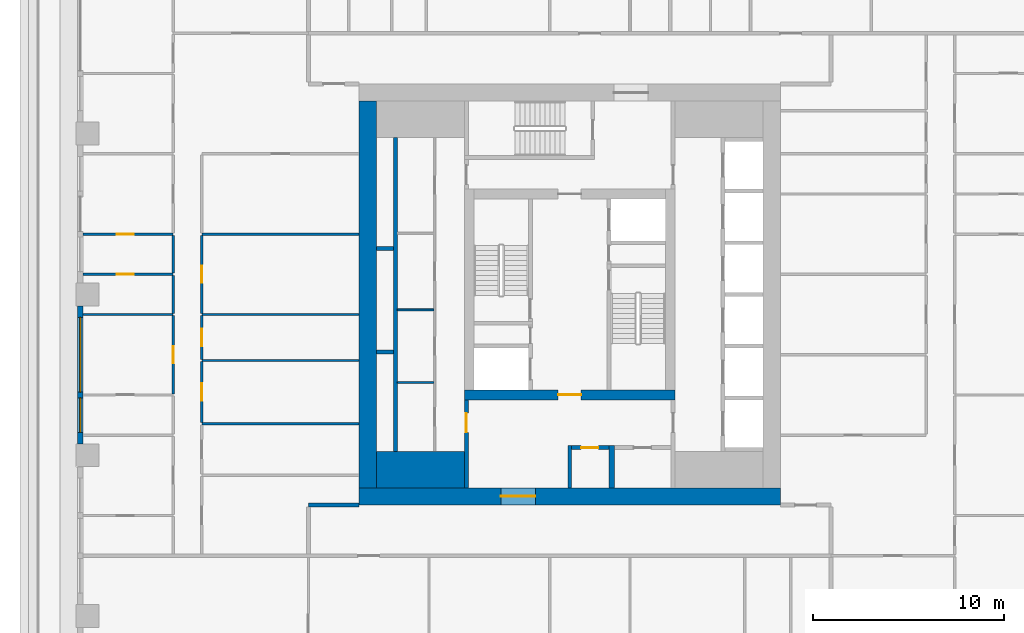
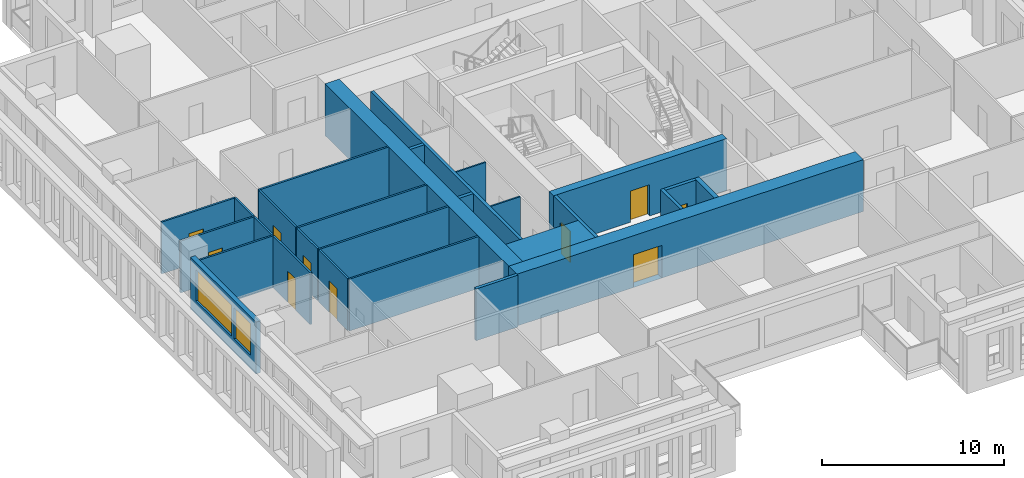
# One storey, part 3 of 15: 28 walls, 10 doors, 2 windows, 12 openings.
"""IFC4 building model written with IfcOpenShell, lengths in metres."""

from ifc_helpers import new_model, si_unit, direction, frame, frame_2d, origin, place, context, subcontext, project, spatial, rectangle, extrude, material, layer, layer_set, type_object, element, fill, save


model = new_model("IFC4")

# Units and contexts
model_context = context("Model", 3, precision=1e-05, world=origin(), true_north=direction((0.0, 1.0)))
body_context = subcontext(model_context, "Body", "Model", "MODEL_VIEW")
ifc_project = project(units=[si_unit("LENGTHUNIT", "METRE"), si_unit("AREAUNIT", "SQUARE_METRE"), si_unit("VOLUMEUNIT", "CUBIC_METRE"), si_unit("PLANEANGLEUNIT", "RADIAN"), si_unit("MASSUNIT", "GRAM", prefix="KILO")], contexts=[model_context])

# Site, building, storey
site_placement = place(None, origin())
site = spatial("IfcSite", under=ifc_project, at=site_placement, CompositionType="ELEMENT")
building_placement = place(site_placement, origin())
building = spatial("IfcBuilding", under=site, at=building_placement, Name="Khepri Terraces", CompositionType="ELEMENT")
storey_placement = place(building_placement, frame((0.0, 0.0, 256.199951171875)))
storey = spatial("IfcBuildingStorey", under=building, at=storey_placement, Name="L61", CompositionType="ELEMENT", Elevation=256.199951171875)

# Walls
ifc_material_1 = material(Name="Concrete C40/50", Category="concrete")
ifc_layer_1 = layer(ifc_material_1, 1.89990234375, Name="Concrete C40/50", Category="concrete")
ifc_layer_set_1 = layer_set([ifc_layer_1], Name="Concrete C40/50")
wall_type_1 = type_object("IfcWallType", Name="Core wall 1900 C40/50", PredefinedType="SHEAR", material=ifc_layer_set_1)
wall_1_placement = place(storey_placement, frame((-10.10009765625, -9.14990234375, 0.0), z_axis=(0.0, 0.0, 1.0), x_axis=(1.0, 0.0, 0.0)))
element("IfcWall", 1, at=wall_1_placement, inside=storey, type_object=wall_type_1, Name="Core wall PR01 L61", PredefinedType="SHEAR", context=body_context, shape_type="SweptSolid", body=[
    extrude(rectangle(XDim=4.60009765625, YDim=1.89990234375, at=frame_2d((2.300048828125, 0.0))), origin(), (0.0, 0.0, 1.0), 3.47998046875),
])
ifc_layer_2 = layer(ifc_material_1, 0.199951171875, Name="Concrete C40/50", Category="concrete")
ifc_layer_set_2 = layer_set([ifc_layer_2], Name="Concrete C40/50")
wall_type_2 = type_object("IfcWallType", Name="Core wall 200 C40/50", PredefinedType="SHEAR", material=ifc_layer_set_2)
wall_2_placement = place(storey_placement, frame((-9.10009765625, -8.199951171875, 0.0), z_axis=(0.0, 0.0, 1.0), x_axis=(0.0, 1.0, 0.0)))
element("IfcWall", 2, at=wall_2_placement, inside=storey, type_object=wall_type_2, Name="Core wall SH01 L61", PredefinedType="SHEAR", context=body_context, shape_type="SweptSolid", body=[
    extrude(rectangle(XDim=16.39990234375, YDim=0.199951171875, at=frame_2d((8.199951171875, 0.0))), origin(), (0.0, 0.0, 1.0), 3.47998046875),
])
for number, where, z_axis, x_axis, name in (
    (3, (-10.10009765625, -3.0, 0.0), (0.0, 0.0, 1.0), (1.0, 0.0, 0.0), "Core wall SH06 L61"),
    (4, (-10.10009765625, 2.39990234375, 0.0), (0.0, 0.0, 1.0), (1.0, 0.0, 0.0), "Core wall SH11 L61"),
):
    element("IfcWall", number, at=place(storey_placement, frame(where, z_axis=z_axis, x_axis=x_axis)), inside=storey, type_object=wall_type_2, Name=name, PredefinedType="SHEAR", context=body_context, shape_type="SweptSolid", body=[
        extrude(rectangle(XDim=0.900146484375, YDim=0.199951171875, at=frame_2d((0.4501953125, 0.0))), origin(), (0.0, 0.0, 1.0), 3.47998046875),
    ])

# Wall, opening, door
ifc_layer_3 = layer(ifc_material_1, 0.5, Name="Concrete C40/50", Category="concrete")
ifc_layer_set_3 = layer_set([ifc_layer_3], Name="Concrete C40/50")
wall_type_3 = type_object("IfcWallType", Name="Core wall 500 C40/50", PredefinedType="SHEAR", material=ifc_layer_set_3)
wall_3_placement = place(storey_placement, frame((-5.5, -5.25, 0.0), z_axis=(0.0, 0.0, 1.0), x_axis=(1.0, 0.0, 0.0)))
wall_3 = element("IfcWall", 5, at=wall_3_placement, inside=storey, type_object=wall_type_3, Name="Core wall BX01 L61", PredefinedType="SHEAR", context=body_context, shape_type="SweptSolid", body=[
    extrude(rectangle(XDim=11.0, YDim=0.5, at=frame_2d((5.5, 0.0))), origin(), (0.0, 0.0, 1.0), 3.47998046875),
])
opening_1_placement = place(wall_3_placement, frame((4.89990234375, 0.0, 0.0)))
opening_1 = element("IfcOpeningElement", 6, at=opening_1_placement, cuts=wall_3, Name="Opening L61-C14", PredefinedType="OPENING", context=body_context, shape_type="SweptSolid", body=[
    extrude(rectangle(XDim=1.199951171875, YDim=2.10009765625, at=frame_2d((0.60009765625, 1.050048828125))), frame((0.0, 0.260009765625, 0.0), z_axis=(0.0, -1.0, 0.0), x_axis=(1.0, 0.0, 0.0)), (0.0, 0.0, 1.0), 0.52001953125),
])
ifc_material_2 = material(Name="Painted steel", Category="steel")
door_type_1 = type_object("IfcDoorType", Name="DR-CORE-FF-LOBBY-1200", OperationType="NOTDEFINED", PredefinedType="DOOR", material=ifc_material_2)
door_1_placement = place(opening_1_placement, origin())
door_1 = element("IfcDoor", 7, at=door_1_placement, inside=storey, type_object=door_type_1, Name="Firefighting lobby door L61-C14", OperationType="SINGLE_SWING_RIGHT", OverallHeight=2.10009765625, OverallWidth=1.199951171875, PredefinedType="DOOR", context=body_context, shape_type="SweptSolid", body=[
    extrude(rectangle(XDim=1.199951171875, YDim=2.10009765625, at=frame_2d((0.60009765625, 1.050048828125))), frame((0.0, 0.02490234375, 0.0), z_axis=(0.0, -1.0, 0.0), x_axis=(1.0, 0.0, 0.0)), (0.0, 0.0, 1.0), 0.050048828125),
])
fill(opening_1, door_1)

ifc_layer_4 = layer(ifc_material_1, 0.89990234375, Name="Concrete C40/50", Category="concrete")
ifc_layer_set_4 = layer_set([ifc_layer_4], Name="Concrete C40/50")
wall_type_4 = type_object("IfcWallType", Name="Core wall 900 C40/50", PredefinedType="SHEAR", material=ifc_layer_set_4)
wall_4_placement = place(storey_placement, frame((-11.0, -10.550048828125, 0.0), z_axis=(0.0, 0.0, 1.0), x_axis=(1.0, 0.0, 0.0)))
wall_4 = element("IfcWall", 8, at=wall_4_placement, inside=storey, type_object=wall_type_4, Name="Core wall OW-S L61", PredefinedType="SHEAR", context=body_context, shape_type="SweptSolid", body=[
    extrude(rectangle(XDim=22.0, YDim=0.89990234375, at=frame_2d((11.0, 0.0))), origin(), (0.0, 0.0, 1.0), 3.47998046875),
])
opening_2_placement = place(wall_4_placement, frame((7.39990234375, 0.0, 0.0)))
opening_2 = element("IfcOpeningElement", 9, at=opening_2_placement, cuts=wall_4, Name="Opening L61-C21", PredefinedType="OPENING", context=body_context, shape_type="SweptSolid", body=[
    extrude(rectangle(XDim=1.800048828125, YDim=2.199951171875, at=frame_2d((0.89990234375, 1.10009765625))), frame((0.0, 0.4599609375, 0.0), z_axis=(0.0, -1.0, 0.0), x_axis=(1.0, 0.0, 0.0)), (0.0, 0.0, 1.0), 0.919921875),
])
door_type_2 = type_object("IfcDoorType", Name="DR-CORE-ENTRANCE-1800", OperationType="NOTDEFINED", PredefinedType="DOOR", material=ifc_material_2)
door_2_placement = place(opening_2_placement, frame((1.800048828125, 0.0, 0.0), z_axis=(0.0, 0.0, 1.0), x_axis=(-1.0, 0.0, 0.0)))
door_2 = element("IfcDoor", 10, at=door_2_placement, inside=storey, type_object=door_type_2, Name="Core entrance door pair L61-C21", OperationType="DOUBLE_DOOR_SINGLE_SWING", OverallHeight=2.199951171875, OverallWidth=1.800048828125, PredefinedType="DOOR", context=body_context, shape_type="SweptSolid", body=[
    extrude(rectangle(XDim=1.800048828125, YDim=2.199951171875, at=frame_2d((0.89990234375, 1.10009765625))), frame((0.0, 0.02490234375, 0.0), z_axis=(0.0, -1.0, 0.0), x_axis=(1.0, 0.0, 0.0)), (0.0, 0.0, 1.0), 0.050048828125),
])
fill(opening_2, door_2)

# Walls
wall_5_placement = place(storey_placement, frame((-10.550048828125, -10.10009765625, 0.0), z_axis=(0.0, 0.0, 1.0), x_axis=(0.0, 1.0, 0.0)))
element("IfcWall", 11, at=wall_5_placement, inside=storey, type_object=wall_type_4, Name="Core wall OW-W L61", PredefinedType="SHEAR", context=body_context, shape_type="SweptSolid", body=[
    extrude(rectangle(XDim=20.2001953125, YDim=0.89990234375, at=frame_2d((10.10009765625, 0.0))), origin(), (0.0, 0.0, 1.0), 3.47998046875),
])
ifc_material_3 = material(Name="Fire-rated gypsum board partition")
ifc_layer_5 = layer(ifc_material_3, 0.10009765625, Name="Fire-rated gypsum board partition")
ifc_layer_set_5 = layer_set([ifc_layer_5], Name="Fire-rated gypsum board partition")
wall_type_5 = type_object("IfcWallType", Name="WL-CORE-PART-100", PredefinedType="PARTITIONING", material=ifc_layer_set_5)
for number, where, z_axis, x_axis, name in (
    (12, (-9.0, -4.60009765625, 0.0), (0.0, 0.0, 1.0), (1.0, 0.0, 0.0), "Core partition PT08 L61"),
    (13, (-9.0, -0.800048828125, 0.0), (0.0, 0.0, 1.0), (1.0, 0.0, 0.0), "Core partition PT09 L61"),
):
    element("IfcWall", number, at=place(storey_placement, frame(where, z_axis=z_axis, x_axis=x_axis)), inside=storey, type_object=wall_type_5, Name=name, PredefinedType="PARTITIONING", context=body_context, shape_type="SweptSolid", body=[
        extrude(rectangle(XDim=1.89990234375, YDim=0.10009765625, at=frame_2d((0.949951171875, 0.0))), origin(), (0.0, 0.0, 1.0), 3.47998046875),
    ])

# Wall, opening, door
ifc_layer_6 = layer(ifc_material_3, 0.199951171875, Name="Fire-rated gypsum board partition")
ifc_layer_set_6 = layer_set([ifc_layer_6], Name="Fire-rated gypsum board partition")
wall_type_6 = type_object("IfcWallType", Name="WL-CORE-PART-200", PredefinedType="PARTITIONING", material=ifc_layer_set_6)
wall_6_placement = place(storey_placement, frame((-5.39990234375, -10.10009765625, 0.0), z_axis=(0.0, 0.0, 1.0), x_axis=(0.0, 1.0, 0.0)))
wall_6 = element("IfcWall", 14, at=wall_6_placement, inside=storey, type_object=wall_type_6, Name="Core partition PT01 L61", PredefinedType="PARTITIONING", context=body_context, shape_type="SweptSolid", body=[
    extrude(rectangle(XDim=4.60009765625, YDim=0.199951171875, at=frame_2d((2.300048828125, 0.0))), origin(), (0.0, 0.0, 1.0), 3.47998046875),
])
opening_3_placement = place(wall_6_placement, frame((2.89990234375, 0.0, 0.0)))
opening_3 = element("IfcOpeningElement", 15, at=opening_3_placement, cuts=wall_6, Name="Opening L61-C18", PredefinedType="OPENING", context=body_context, shape_type="SweptSolid", body=[
    extrude(rectangle(XDim=1.0, YDim=2.10009765625, at=frame_2d((0.5, 1.050048828125))), frame((0.0, 0.10986328125, 0.0), z_axis=(0.0, -1.0, 0.0), x_axis=(1.0, 0.0, 0.0)), (0.0, 0.0, 1.0), 0.219970703125),
])
door_type_3 = type_object("IfcDoorType", Name="DR-CORE-LOBBY-1000", OperationType="NOTDEFINED", PredefinedType="DOOR", material=ifc_material_2)
door_3_placement = place(opening_3_placement, frame((1.0, 0.0, 0.0), z_axis=(0.0, 0.0, 1.0), x_axis=(-1.0, 0.0, 0.0)))
door_3 = element("IfcDoor", 16, at=door_3_placement, inside=storey, type_object=door_type_3, Name="Lobby door L61-C18", OperationType="SINGLE_SWING_LEFT", OverallHeight=2.10009765625, OverallWidth=1.0, PredefinedType="DOOR", context=body_context, shape_type="SweptSolid", body=[
    extrude(rectangle(XDim=1.0, YDim=2.10009765625, at=frame_2d((0.5, 1.050048828125))), frame((0.0, 0.02490234375, 0.0), z_axis=(0.0, -1.0, 0.0), x_axis=(1.0, 0.0, 0.0)), (0.0, 0.0, 1.0), 0.050048828125),
])
fill(opening_3, door_3)

# Wall
wall_7_placement = place(storey_placement, frame((0.0, -10.10009765625, 0.0), z_axis=(0.0, 0.0, 1.0), x_axis=(0.0, 1.0, 0.0)))
element("IfcWall", 17, at=wall_7_placement, inside=storey, type_object=wall_type_6, Name="Core partition PT02 L61", PredefinedType="PARTITIONING", context=body_context, shape_type="SweptSolid", body=[
    extrude(rectangle(XDim=2.2001953125, YDim=0.199951171875, at=frame_2d((1.10009765625, 0.0))), origin(), (0.0, 0.0, 1.0), 3.47998046875),
])

# Wall, opening, door
wall_8_placement = place(storey_placement, frame((0.10009765625, -8.0, 0.0), z_axis=(0.0, 0.0, 1.0), x_axis=(1.0, 0.0, 0.0)))
wall_8 = element("IfcWall", 18, at=wall_8_placement, inside=storey, type_object=wall_type_6, Name="Core partition PT06 L61", PredefinedType="PARTITIONING", context=body_context, shape_type="SweptSolid", body=[
    extrude(rectangle(XDim=1.949951171875, YDim=0.199951171875, at=frame_2d((0.97509765625, 0.0))), origin(), (0.0, 0.0, 1.0), 3.47998046875),
])
opening_4_placement = place(wall_8_placement, frame((0.5, 0.0, 0.0)))
opening_4 = element("IfcOpeningElement", 19, at=opening_4_placement, cuts=wall_8, Name="Opening L61-C22", PredefinedType="OPENING", context=body_context, shape_type="SweptSolid", body=[
    extrude(rectangle(XDim=0.89990234375, YDim=2.10009765625, at=frame_2d((0.449951171875, 1.050048828125))), frame((0.0, 0.10986328125, 0.0), z_axis=(0.0, -1.0, 0.0), x_axis=(1.0, 0.0, 0.0)), (0.0, 0.0, 1.0), 0.219970703125),
])
door_type_4 = type_object("IfcDoorType", Name="DR-CORE-SERVICE-900", OperationType="NOTDEFINED", PredefinedType="DOOR", material=ifc_material_2)
door_4_placement = place(opening_4_placement, frame((0.89990234375, 0.0, 0.0), z_axis=(0.0, 0.0, 1.0), x_axis=(-1.0, 0.0, 0.0)))
door_4 = element("IfcDoor", 20, at=door_4_placement, inside=storey, type_object=door_type_4, Name="Service room door L61-C22", OperationType="SINGLE_SWING_RIGHT", OverallHeight=2.10009765625, OverallWidth=0.89990234375, PredefinedType="DOOR", context=body_context, shape_type="SweptSolid", body=[
    extrude(rectangle(XDim=0.89990234375, YDim=2.10009765625, at=frame_2d((0.449951171875, 1.050048828125))), frame((0.0, 0.02490234375, 0.0), z_axis=(0.0, -1.0, 0.0), x_axis=(1.0, 0.0, 0.0)), (0.0, 0.0, 1.0), 0.050048828125),
])
fill(opening_4, door_4)

# Walls
ifc_layer_7 = layer(ifc_material_3, 0.300048828125, Name="Fire-rated gypsum board partition")
ifc_layer_set_7 = layer_set([ifc_layer_7], Name="Fire-rated gypsum board partition")
wall_type_7 = type_object("IfcWallType", Name="WL-CORE-PART-300", PredefinedType="PARTITIONING", material=ifc_layer_set_7)
wall_9_placement = place(storey_placement, frame((2.199951171875, -10.10009765625, 0.0), z_axis=(0.0, 0.0, 1.0), x_axis=(0.0, 1.0, 0.0)))
element("IfcWall", 21, at=wall_9_placement, inside=storey, type_object=wall_type_7, Name="Core partition PT03 L61", PredefinedType="PARTITIONING", context=body_context, shape_type="SweptSolid", body=[
    extrude(rectangle(XDim=2.2001953125, YDim=0.300048828125, at=frame_2d((1.10009765625, 0.0))), origin(), (0.0, 0.0, 1.0), 3.47998046875),
])
ifc_material_4 = material(Name="Fire-rated gypsum plasterboard partition, mineral wool")
ifc_layer_8 = layer(ifc_material_4, 0.199951171875, Name="Fire-rated gypsum plasterboard partition, mineral wool")
ifc_layer_set_8 = layer_set([ifc_layer_8], Name="Fire-rated gypsum plasterboard partition, mineral wool")
wall_type_8 = type_object("IfcWallType", Name="WL-CORR-200", PredefinedType="PARTITIONING", material=ifc_layer_set_8)
wall_10_placement = place(storey_placement, frame((-13.64990234375, -11.0, 0.0), z_axis=(0.0, 0.0, 1.0), x_axis=(1.0, 0.0, 0.0)))
element("IfcWall", 22, at=wall_10_placement, inside=storey, type_object=wall_type_8, Name="Partition P-026 L61", PredefinedType="PARTITIONING", context=body_context, shape_type="SweptSolid", body=[
    extrude(rectangle(XDim=2.64990234375, YDim=0.199951171875, at=frame_2d((1.324951171875, 0.0))), origin(), (0.0, 0.0, 1.0), 3.47998046875),
])

# Wall, openings, windows
ifc_material_5 = material(Name="Precast concrete C50/60 warm stone", Category="masonry")
ifc_layer_9 = layer(ifc_material_5, 0.300048828125, Name="Precast concrete C50/60 warm stone", Category="masonry")
ifc_layer_set_9 = layer_set([ifc_layer_9], Name="Precast concrete C50/60 warm stone")
wall_type_9 = type_object("IfcWallType", Name="WL-EXT-PRECAST-300", PredefinedType="STANDARD", material=ifc_layer_set_9)
wall_11_placement = place(storey_placement, frame((-25.570068359375, -0.60009765625, 0.0), z_axis=(0.0, 0.0, 1.0), x_axis=(0.0, -1.0, 0.0)))
wall_11 = element("IfcWall", 23, at=wall_11_placement, inside=storey, type_object=wall_type_9, Name="External wall L61 W", PredefinedType="STANDARD", context=body_context, shape_type="SweptSolid", body=[
    extrude(rectangle(XDim=7.199951171875, YDim=0.300048828125, at=frame_2d((3.60009765625, 0.0))), origin(), (0.0, 0.0, 1.0), 3.47998046875),
])
opening_5_placement = place(wall_11_placement, frame((0.60009765625, 0.0, 0.89990234375)))
opening_5 = element("IfcOpeningElement", 24, at=opening_5_placement, cuts=wall_11, Name="Opening W2", PredefinedType="OPENING", context=body_context, shape_type="SweptSolid", body=[
    extrude(rectangle(XDim=3.89990234375, YDim=2.10009765625, at=frame_2d((1.949951171875, 1.050048828125))), frame((0.0, 0.16015625, 0.0), z_axis=(0.0, -1.0, 0.0), x_axis=(1.0, 0.0, 0.0)), (0.0, 0.0, 1.0), 0.320068359375),
])
opening_6_placement = place(wall_11_placement, frame((4.800048828125, 0.0, 0.89990234375)))
opening_6 = element("IfcOpeningElement", 25, at=opening_6_placement, cuts=wall_11, Name="Opening W1", PredefinedType="OPENING", context=body_context, shape_type="SweptSolid", body=[
    extrude(rectangle(XDim=1.800048828125, YDim=2.10009765625, at=frame_2d((0.89990234375, 1.050048828125))), frame((0.0, 0.16015625, 0.0), z_axis=(0.0, -1.0, 0.0), x_axis=(1.0, 0.0, 0.0)), (0.0, 0.0, 1.0), 0.320068359375),
])
ifc_material_6 = material(Name="Clear glass", Category="glass")
window_type_1 = type_object("IfcWindowType", Name="WIN-RES-1800x2100", PartitioningType="SINGLE_PANEL", PredefinedType="WINDOW", material=ifc_material_6)
window_1_placement = place(opening_6_placement, origin())
window_1 = element("IfcWindow", 26, at=window_1_placement, inside=storey, type_object=window_type_1, Name="Window L61 W", OverallHeight=2.10009765625, OverallWidth=1.800048828125, PartitioningType="SINGLE_PANEL", PredefinedType="WINDOW", context=body_context, shape_type="SweptSolid", body=[
    extrude(rectangle(XDim=1.800048828125, YDim=2.10009765625, at=frame_2d((0.89990234375, 1.050048828125))), frame((0.0, 0.030029296875, 0.0), z_axis=(0.0, -1.0, 0.0), x_axis=(1.0, 0.0, 0.0)), (0.0, 0.0, 1.0), 0.06005859375),
])
fill(opening_6, window_1)
window_type_2 = type_object("IfcWindowType", Name="WIN-RES-3900x2100", PartitioningType="SINGLE_PANEL", PredefinedType="WINDOW", material=ifc_material_6)
window_2_placement = place(opening_5_placement, origin())
window_2 = element("IfcWindow", 27, at=window_2_placement, inside=storey, type_object=window_type_2, Name="Window L61 W", OverallHeight=2.10009765625, OverallWidth=3.89990234375, PartitioningType="SINGLE_PANEL", PredefinedType="WINDOW", context=body_context, shape_type="SweptSolid", body=[
    extrude(rectangle(XDim=3.89990234375, YDim=2.10009765625, at=frame_2d((1.949951171875, 1.050048828125))), frame((0.0, 0.030029296875, 0.0), z_axis=(0.0, -1.0, 0.0), x_axis=(1.0, 0.0, 0.0)), (0.0, 0.0, 1.0), 0.06005859375),
])
fill(opening_5, window_2)

# Wall
ifc_material_7 = material(Name="Gypsum plasterboard partition")
ifc_layer_10 = layer(ifc_material_7, 0.1201171875, Name="Gypsum plasterboard partition")
ifc_layer_set_10 = layer_set([ifc_layer_10], Name="Gypsum plasterboard partition")
wall_type_10 = type_object("IfcWallType", Name="WL-PART-120", PredefinedType="PARTITIONING", material=ifc_layer_set_10)
wall_12_placement = place(storey_placement, frame((-19.219970703125, -6.75, 0.0), z_axis=(0.0, 0.0, 1.0), x_axis=(1.0, 0.0, 0.0)))
element("IfcWall", 28, at=wall_12_placement, inside=storey, type_object=wall_type_10, Name="Partition P-034 L61", PredefinedType="PARTITIONING", context=body_context, shape_type="SweptSolid", body=[
    extrude(rectangle(XDim=8.219970703125, YDim=0.1201171875, at=frame_2d((4.10986328125, 0.0))), origin(), (0.0, 0.0, 1.0), 3.47998046875),
])

# Wall, opening, door
wall_13_placement = place(storey_placement, frame((-19.219970703125, -6.68994140625, 0.0), z_axis=(0.0, 0.0, 1.0), x_axis=(0.0, 1.0, 0.0)))
wall_13 = element("IfcWall", 29, at=wall_13_placement, inside=storey, type_object=wall_type_10, Name="Partition P-035 L61", PredefinedType="PARTITIONING", context=body_context, shape_type="SweptSolid", body=[
    extrude(rectangle(XDim=3.179931640625, YDim=0.1201171875, at=frame_2d((1.58984375, 0.0))), origin(), (0.0, 0.0, 1.0), 3.47998046875),
])
opening_7_placement = place(wall_13_placement, frame((1.139892578125, 0.0, 0.0)))
opening_7 = element("IfcOpeningElement", 30, at=opening_7_placement, cuts=wall_13, Name="Opening D3", PredefinedType="OPENING", context=body_context, shape_type="SweptSolid", body=[
    extrude(rectangle(XDim=0.89990234375, YDim=2.10009765625, at=frame_2d((0.449951171875, 1.050048828125))), frame((0.0, 0.070068359375, 0.0), z_axis=(0.0, -1.0, 0.0), x_axis=(1.0, 0.0, 0.0)), (0.0, 0.0, 1.0), 0.14013671875),
])
ifc_material_8 = material(Name="Timber door leaf", Category="wood")
door_type_5 = type_object("IfcDoorType", Name="DR-INT-900", OperationType="NOTDEFINED", PredefinedType="DOOR", material=ifc_material_8)
door_5_placement = place(opening_7_placement, frame((0.89990234375, 0.0, 0.0), z_axis=(0.0, 0.0, 1.0), x_axis=(-1.0, 0.0, 0.0)))
door_5 = element("IfcDoor", 31, at=door_5_placement, inside=storey, type_object=door_type_5, Name="Door Utility Room", OperationType="SINGLE_SWING_LEFT", OverallHeight=2.10009765625, OverallWidth=0.89990234375, PredefinedType="DOOR", context=body_context, shape_type="SweptSolid", body=[
    extrude(rectangle(XDim=0.89990234375, YDim=2.10009765625, at=frame_2d((0.449951171875, 1.050048828125))), frame((0.0, 0.02490234375, 0.0), z_axis=(0.0, -1.0, 0.0), x_axis=(1.0, 0.0, 0.0)), (0.0, 0.0, 1.0), 0.050048828125),
])
fill(opening_7, door_5)

wall_14_placement = place(storey_placement, frame((-20.719970703125, -5.18994140625, 0.0), z_axis=(0.0, 0.0, 1.0), x_axis=(0.0, 1.0, 0.0)))
wall_14 = element("IfcWall", 32, at=wall_14_placement, inside=storey, type_object=wall_type_10, Name="Partition P-038 L61", PredefinedType="PARTITIONING", context=body_context, shape_type="SweptSolid", body=[
    extrude(rectangle(XDim=4.079833984375, YDim=0.1201171875, at=frame_2d((2.0400390625, 0.0))), origin(), (0.0, 0.0, 1.0), 3.47998046875),
])
opening_8_placement = place(wall_14_placement, frame((1.590087890625, 0.0, 0.0)))
opening_8 = element("IfcOpeningElement", 33, at=opening_8_placement, cuts=wall_14, Name="Opening D3", PredefinedType="OPENING", context=body_context, shape_type="SweptSolid", body=[
    extrude(rectangle(XDim=0.89990234375, YDim=2.10009765625, at=frame_2d((0.449951171875, 1.050048828125))), frame((0.0, 0.070068359375, 0.0), z_axis=(0.0, -1.0, 0.0), x_axis=(1.0, 0.0, 0.0)), (0.0, 0.0, 1.0), 0.14013671875),
])
door_6_placement = place(opening_8_placement, origin())
door_6 = element("IfcDoor", 34, at=door_6_placement, inside=storey, type_object=door_type_5, Name="Door Bedroom", OperationType="SINGLE_SWING_RIGHT", OverallHeight=2.10009765625, OverallWidth=0.89990234375, PredefinedType="DOOR", context=body_context, shape_type="SweptSolid", body=[
    extrude(rectangle(XDim=0.89990234375, YDim=2.10009765625, at=frame_2d((0.449951171875, 1.050048828125))), frame((0.0, 0.02490234375, 0.0), z_axis=(0.0, -1.0, 0.0), x_axis=(1.0, 0.0, 0.0)), (0.0, 0.0, 1.0), 0.050048828125),
])
fill(opening_8, door_6)

# Wall
wall_15_placement = place(storey_placement, frame((-19.219970703125, -3.449951171875, 0.0), z_axis=(0.0, 0.0, 1.0), x_axis=(1.0, 0.0, 0.0)))
element("IfcWall", 35, at=wall_15_placement, inside=storey, type_object=wall_type_10, Name="Partition P-040 L61", PredefinedType="PARTITIONING", context=body_context, shape_type="SweptSolid", body=[
    extrude(rectangle(XDim=8.219970703125, YDim=0.1201171875, at=frame_2d((4.10986328125, 0.0))), origin(), (0.0, 0.0, 1.0), 3.47998046875),
])

# Wall, opening, door
wall_16_placement = place(storey_placement, frame((-19.219970703125, -3.389892578125, 0.0), z_axis=(0.0, 0.0, 1.0), x_axis=(0.0, 1.0, 0.0)))
wall_16 = element("IfcWall", 36, at=wall_16_placement, inside=storey, type_object=wall_type_10, Name="Partition P-041 L61", PredefinedType="PARTITIONING", context=body_context, shape_type="SweptSolid", body=[
    extrude(rectangle(XDim=2.27978515625, YDim=0.1201171875, at=frame_2d((1.139892578125, 0.0))), origin(), (0.0, 0.0, 1.0), 3.47998046875),
])
opening_9_placement = place(wall_16_placement, frame((0.68994140625, 0.0, 0.0)))
opening_9 = element("IfcOpeningElement", 37, at=opening_9_placement, cuts=wall_16, Name="Opening D4", PredefinedType="OPENING", context=body_context, shape_type="SweptSolid", body=[
    extrude(rectangle(XDim=0.89990234375, YDim=2.10009765625, at=frame_2d((0.449951171875, 1.050048828125))), frame((0.0, 0.070068359375, 0.0), z_axis=(0.0, -1.0, 0.0), x_axis=(1.0, 0.0, 0.0)), (0.0, 0.0, 1.0), 0.14013671875),
])
ifc_material_9 = material(Name="Timber door leaf, moisture resistant", Category="wood")
door_type_6 = type_object("IfcDoorType", Name="DR-WET-900", OperationType="NOTDEFINED", PredefinedType="DOOR", material=ifc_material_9)
door_7_placement = place(opening_9_placement, frame((0.89990234375, 0.0, 0.0), z_axis=(0.0, 0.0, 1.0), x_axis=(-1.0, 0.0, 0.0)))
door_7 = element("IfcDoor", 38, at=door_7_placement, inside=storey, type_object=door_type_6, Name="Door Powder Room", OperationType="SINGLE_SWING_LEFT", OverallHeight=2.10009765625, OverallWidth=0.89990234375, PredefinedType="DOOR", context=body_context, shape_type="SweptSolid", body=[
    extrude(rectangle(XDim=0.89990234375, YDim=2.10009765625, at=frame_2d((0.449951171875, 1.050048828125))), frame((0.0, 0.02490234375, 0.0), z_axis=(0.0, -1.0, 0.0), x_axis=(1.0, 0.0, 0.0)), (0.0, 0.0, 1.0), 0.050048828125),
])
fill(opening_9, door_7)

# Walls
wall_17_placement = place(storey_placement, frame((-25.419921875, -1.050048828125, 0.0), z_axis=(0.0, 0.0, 1.0), x_axis=(1.0, 0.0, 0.0)))
element("IfcWall", 39, at=wall_17_placement, inside=storey, type_object=wall_type_10, Name="Partition P-044 L61", PredefinedType="PARTITIONING", context=body_context, shape_type="SweptSolid", body=[
    extrude(rectangle(XDim=4.699951171875, YDim=0.1201171875, at=frame_2d((2.35009765625, 0.0))), origin(), (0.0, 0.0, 1.0), 3.47998046875),
])
wall_18_placement = place(storey_placement, frame((-19.219970703125, -1.050048828125, 0.0), z_axis=(0.0, 0.0, 1.0), x_axis=(1.0, 0.0, 0.0)))
element("IfcWall", 40, at=wall_18_placement, inside=storey, type_object=wall_type_10, Name="Partition P-045 L61", PredefinedType="PARTITIONING", context=body_context, shape_type="SweptSolid", body=[
    extrude(rectangle(XDim=8.219970703125, YDim=0.1201171875, at=frame_2d((4.10986328125, 0.0))), origin(), (0.0, 0.0, 1.0), 3.47998046875),
])
wall_19_placement = place(storey_placement, frame((-20.719970703125, -0.989990234375, 0.0), z_axis=(0.0, 0.0, 1.0), x_axis=(0.0, 1.0, 0.0)))
element("IfcWall", 41, at=wall_19_placement, inside=storey, type_object=wall_type_10, Name="Partition P-046 L61", PredefinedType="PARTITIONING", context=body_context, shape_type="SweptSolid", body=[
    extrude(rectangle(XDim=1.97998046875, YDim=0.1201171875, at=frame_2d((0.989990234375, 0.0))), origin(), (0.0, 0.0, 1.0), 3.47998046875),
])

# Wall, opening, door
wall_20_placement = place(storey_placement, frame((-19.219970703125, -0.989990234375, 0.0), z_axis=(0.0, 0.0, 1.0), x_axis=(0.0, 1.0, 0.0)))
wall_20 = element("IfcWall", 42, at=wall_20_placement, inside=storey, type_object=wall_type_10, Name="Partition P-047 L61", PredefinedType="PARTITIONING", context=body_context, shape_type="SweptSolid", body=[
    extrude(rectangle(XDim=4.080078125, YDim=0.1201171875, at=frame_2d((2.0400390625, 0.0))), origin(), (0.0, 0.0, 1.0), 3.47998046875),
])
opening_10_placement = place(wall_20_placement, frame((1.590087890625, 0.0, 0.0)))
opening_10 = element("IfcOpeningElement", 43, at=opening_10_placement, cuts=wall_20, Name="Opening D3", PredefinedType="OPENING", context=body_context, shape_type="SweptSolid", body=[
    extrude(rectangle(XDim=0.89990234375, YDim=2.10009765625, at=frame_2d((0.449951171875, 1.050048828125))), frame((0.0, 0.070068359375, 0.0), z_axis=(0.0, -1.0, 0.0), x_axis=(1.0, 0.0, 0.0)), (0.0, 0.0, 1.0), 0.14013671875),
])
door_8_placement = place(opening_10_placement, frame((0.89990234375, 0.0, 0.0), z_axis=(0.0, 0.0, 1.0), x_axis=(-1.0, 0.0, 0.0)))
door_8 = element("IfcDoor", 44, at=door_8_placement, inside=storey, type_object=door_type_5, Name="Door Service Store", OperationType="SINGLE_SWING_LEFT", OverallHeight=2.10009765625, OverallWidth=0.89990234375, PredefinedType="DOOR", context=body_context, shape_type="SweptSolid", body=[
    extrude(rectangle(XDim=0.89990234375, YDim=2.10009765625, at=frame_2d((0.449951171875, 1.050048828125))), frame((0.0, 0.02490234375, 0.0), z_axis=(0.0, -1.0, 0.0), x_axis=(1.0, 0.0, 0.0)), (0.0, 0.0, 1.0), 0.050048828125),
])
fill(opening_10, door_8)

wall_21_placement = place(storey_placement, frame((-25.419921875, 1.050048828125, 0.0), z_axis=(0.0, 0.0, 1.0), x_axis=(1.0, 0.0, 0.0)))
wall_21 = element("IfcWall", 45, at=wall_21_placement, inside=storey, type_object=wall_type_10, Name="Partition P-048 L61", PredefinedType="PARTITIONING", context=body_context, shape_type="SweptSolid", body=[
    extrude(rectangle(XDim=4.699951171875, YDim=0.1201171875, at=frame_2d((2.35009765625, 0.0))), origin(), (0.0, 0.0, 1.0), 3.47998046875),
])
opening_11_placement = place(wall_21_placement, frame((1.75, 0.0, 0.0)))
opening_11 = element("IfcOpeningElement", 46, at=opening_11_placement, cuts=wall_21, Name="Opening D4", PredefinedType="OPENING", context=body_context, shape_type="SweptSolid", body=[
    extrude(rectangle(XDim=0.89990234375, YDim=2.10009765625, at=frame_2d((0.449951171875, 1.050048828125))), frame((0.0, 0.070068359375, 0.0), z_axis=(0.0, -1.0, 0.0), x_axis=(1.0, 0.0, 0.0)), (0.0, 0.0, 1.0), 0.14013671875),
])
door_9_placement = place(opening_11_placement, frame((0.89990234375, 0.0, 0.0), z_axis=(0.0, 0.0, 1.0), x_axis=(-1.0, 0.0, 0.0)))
door_9 = element("IfcDoor", 47, at=door_9_placement, inside=storey, type_object=door_type_6, Name="Door Bathroom", OperationType="SINGLE_SWING_RIGHT", OverallHeight=2.10009765625, OverallWidth=0.89990234375, PredefinedType="DOOR", context=body_context, shape_type="SweptSolid", body=[
    extrude(rectangle(XDim=0.89990234375, YDim=2.10009765625, at=frame_2d((0.449951171875, 1.050048828125))), frame((0.0, 0.02490234375, 0.0), z_axis=(0.0, -1.0, 0.0), x_axis=(1.0, 0.0, 0.0)), (0.0, 0.0, 1.0), 0.050048828125),
])
fill(opening_11, door_9)

# Wall
wall_22_placement = place(storey_placement, frame((-20.719970703125, 1.110107421875, 0.0), z_axis=(0.0, 0.0, 1.0), x_axis=(0.0, 1.0, 0.0)))
element("IfcWall", 48, at=wall_22_placement, inside=storey, type_object=wall_type_10, Name="Partition P-050 L61", PredefinedType="PARTITIONING", context=body_context, shape_type="SweptSolid", body=[
    extrude(rectangle(XDim=1.97998046875, YDim=0.1201171875, at=frame_2d((0.989990234375, 0.0))), origin(), (0.0, 0.0, 1.0), 3.47998046875),
])

# Wall, opening, door
wall_23_placement = place(storey_placement, frame((-25.419921875, 3.14990234375, 0.0), z_axis=(0.0, 0.0, 1.0), x_axis=(1.0, 0.0, 0.0)))
wall_23 = element("IfcWall", 49, at=wall_23_placement, inside=storey, type_object=wall_type_10, Name="Partition P-052 L61", PredefinedType="PARTITIONING", context=body_context, shape_type="SweptSolid", body=[
    extrude(rectangle(XDim=4.699951171875, YDim=0.1201171875, at=frame_2d((2.35009765625, 0.0))), origin(), (0.0, 0.0, 1.0), 3.47998046875),
])
opening_12_placement = place(wall_23_placement, frame((1.75, 0.0, 0.0)))
opening_12 = element("IfcOpeningElement", 50, at=opening_12_placement, cuts=wall_23, Name="Opening D3", PredefinedType="OPENING", context=body_context, shape_type="SweptSolid", body=[
    extrude(rectangle(XDim=0.89990234375, YDim=2.10009765625, at=frame_2d((0.449951171875, 1.050048828125))), frame((0.0, 0.070068359375, 0.0), z_axis=(0.0, -1.0, 0.0), x_axis=(1.0, 0.0, 0.0)), (0.0, 0.0, 1.0), 0.14013671875),
])
door_10_placement = place(opening_12_placement, frame((0.89990234375, 0.0, 0.0), z_axis=(0.0, 0.0, 1.0), x_axis=(-1.0, 0.0, 0.0)))
door_10 = element("IfcDoor", 51, at=door_10_placement, inside=storey, type_object=door_type_5, Name="Door Dressing Room", OperationType="SINGLE_SWING_RIGHT", OverallHeight=2.10009765625, OverallWidth=0.89990234375, PredefinedType="DOOR", context=body_context, shape_type="SweptSolid", body=[
    extrude(rectangle(XDim=0.89990234375, YDim=2.10009765625, at=frame_2d((0.449951171875, 1.050048828125))), frame((0.0, 0.02490234375, 0.0), z_axis=(0.0, -1.0, 0.0), x_axis=(1.0, 0.0, 0.0)), (0.0, 0.0, 1.0), 0.050048828125),
])
fill(opening_12, door_10)

# Wall
wall_24_placement = place(storey_placement, frame((-19.219970703125, 3.14990234375, 0.0), z_axis=(0.0, 0.0, 1.0), x_axis=(1.0, 0.0, 0.0)))
element("IfcWall", 52, at=wall_24_placement, inside=storey, type_object=wall_type_10, Name="Partition P-053 L61", PredefinedType="PARTITIONING", context=body_context, shape_type="SweptSolid", body=[
    extrude(rectangle(XDim=8.219970703125, YDim=0.1201171875, at=frame_2d((4.10986328125, 0.0))), origin(), (0.0, 0.0, 1.0), 3.47998046875),
])

save(model, "model.ifc")
